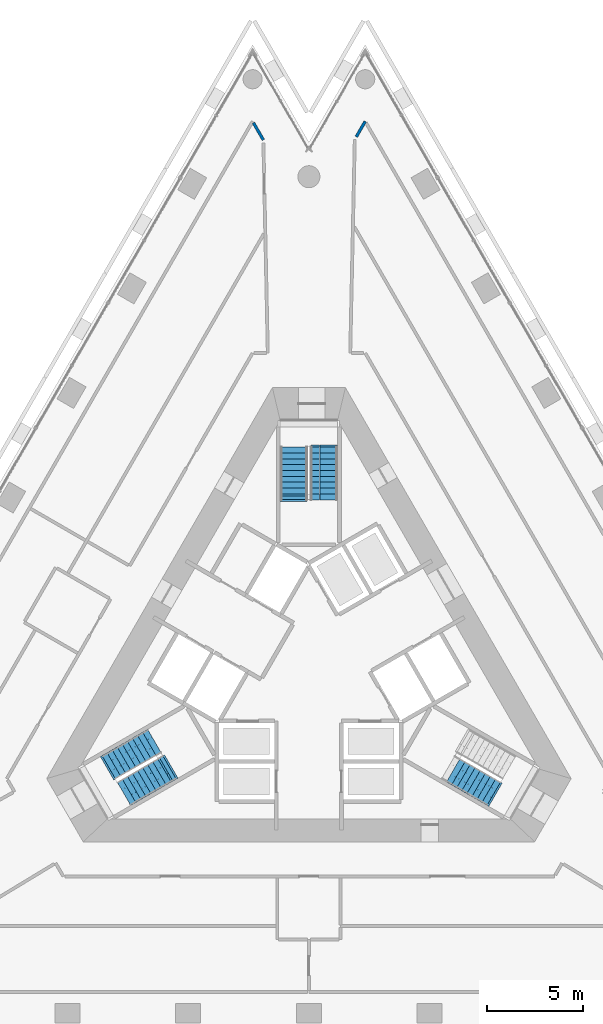
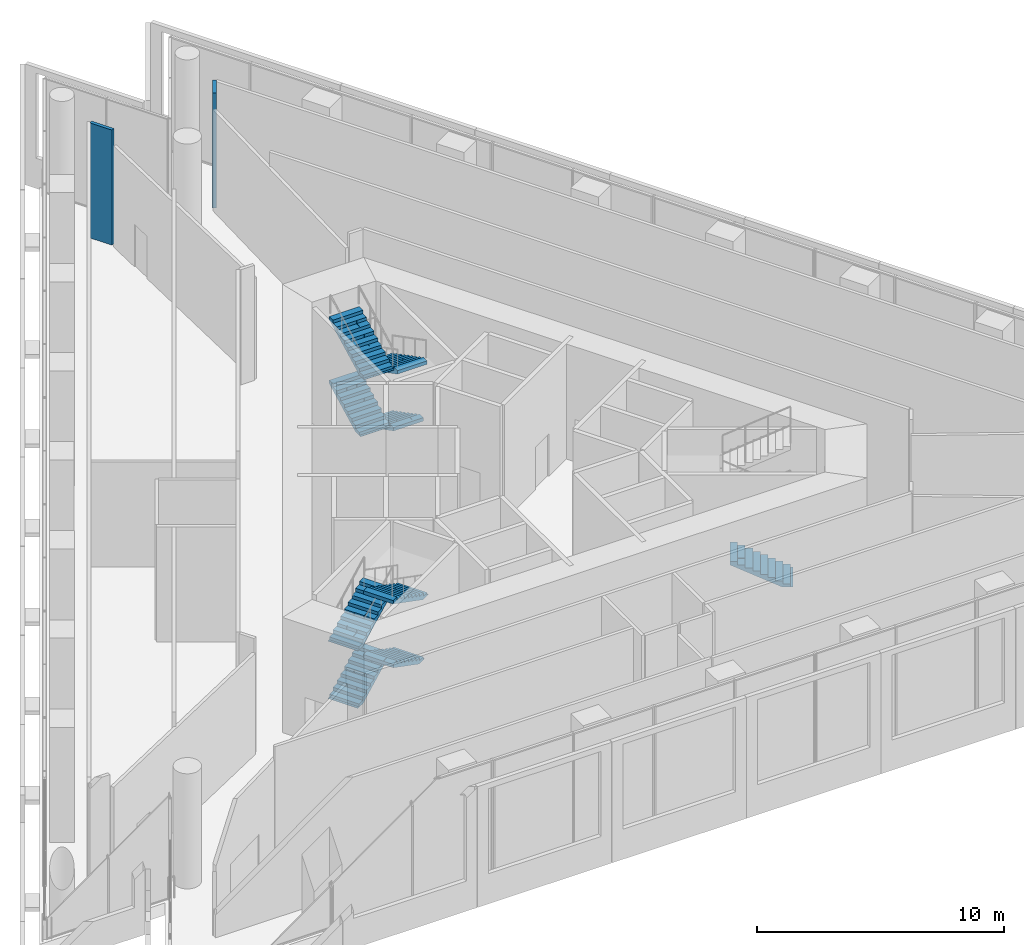
# One storey, part 13 of 18: 9 stair flights, 2 walls, 3 elements without a shape of their own.
"""IFC4 building model written with IfcOpenShell, lengths in metres."""

from ifc_helpers import new_model, si_unit, direction, frame, frame_2d, origin, place, context, subcontext, project, spatial, polyline, rectangle, outline, extrude, material, layer, layer_set, type_object, element, aggregate, save


model = new_model("IFC4")

# Units and contexts
model_context = context("Model", 3, precision=1e-05, world=origin(), true_north=direction((0.0, 1.0)))
body_context = subcontext(model_context, "Body", "Model", "MODEL_VIEW")
ifc_project = project(units=[si_unit("LENGTHUNIT", "METRE"), si_unit("AREAUNIT", "SQUARE_METRE"), si_unit("VOLUMEUNIT", "CUBIC_METRE"), si_unit("PLANEANGLEUNIT", "RADIAN"), si_unit("MASSUNIT", "GRAM", prefix="KILO")], contexts=[model_context])

# Site, building, storey
site_placement = place(None, origin())
site = spatial("IfcSite", under=ifc_project, at=site_placement, CompositionType="ELEMENT")
building_placement = place(site_placement, origin())
building = spatial("IfcBuilding", under=site, at=building_placement, Name="Triada Interchange Tower", CompositionType="ELEMENT")
storey_placement = place(building_placement, frame((0.0, 0.0, 185.300048828125)))
storey = spatial("IfcBuildingStorey", under=building, at=storey_placement, Name="L43", CompositionType="ELEMENT", Elevation=185.300048828125)

# Walls
ifc_material_1 = material(Name="Gypsum board partition")
ifc_layer_1 = layer(ifc_material_1, 0.14990234375)
ifc_layer_set_1 = layer_set([ifc_layer_1], Name="PARTITION 150 EI 180")
wall_type_1 = type_object("IfcWallType", Name="PARTITION 150 EI 180", PredefinedType="PARTITIONING", material=ifc_layer_set_1)
wall_1_placement = place(storey_placement, frame((2.471923828125, 27.7900390625, 0.0), z_axis=(0.0, 0.0, 1.0), x_axis=(0.500290723946, 0.86585748916, 0.0)))
element("IfcWall", 1, at=wall_1_placement, inside=storey, type_object=wall_type_1, Name="Wall L43 9", PredefinedType="PARTITIONING", context=body_context, shape_type="SweptSolid", body=[
    extrude(rectangle(XDim=0.9296875, YDim=0.14990234375, at=frame_2d((0.46484375, 0.0))), origin(), (0.0, 0.0, 1.0), 5.699951171875),
])
ifc_layer_2 = layer(ifc_material_1, 0.14990234375)
ifc_layer_set_2 = layer_set([ifc_layer_2], Name="PARTITION 150 EI 90")
wall_type_2 = type_object("IfcWallType", Name="PARTITION 150 EI 90", PredefinedType="PARTITIONING", material=ifc_layer_set_2)
wall_2_placement = place(storey_placement, frame((-2.89404296875, 28.52001953125, 0.0), z_axis=(0.0, 0.0, 1.0), x_axis=(0.500364349859, -0.865814944079, 0.0)))
element("IfcWall", 2, at=wall_2_placement, inside=storey, type_object=wall_type_2, Name="Wall L43 31", PredefinedType="PARTITIONING", context=body_context, shape_type="SweptSolid", body=[
    extrude(rectangle(XDim=1.031494140625, YDim=0.14990234375, at=frame_2d((0.515625, 0.0))), origin(), (0.0, 0.0, 1.0), 5.699951171875),
])

# Stair, stair flights
ifc_material_2 = material(Name="Concrete C35/45", Category="concrete")
stair_type = type_object("IfcStairType", Name="HALF TURN STAIR 1400", PredefinedType="HALF_TURN_STAIR", material=ifc_material_2)
stair_1_placement = place(storey_placement, origin())
stair_1 = element("IfcStair", 3, at=stair_1_placement, inside=storey, type_object=stair_type, Name="Exit stair S43-1", PredefinedType="HALF_TURN_STAIR")
stair_flight_type = type_object("IfcStairFlightType", Name="STRAIGHT STAIR FLIGHT 1400", PredefinedType="STRAIGHT", material=ifc_material_2)
stair_flight_1_placement = place(storey_placement, frame((0.800048828125, 11.60009765625, 0.0), z_axis=(0.0, 0.0, 1.0), x_axis=(0.0, -1.0, 0.0)))
stair_flight_1 = element("IfcStairFlight", 4, at=stair_flight_1_placement, type_object=stair_flight_type, Name="S43-1 flight 1", NumberOfRisers=9, NumberOfTreads=8, PredefinedType="STRAIGHT", RiserHeight=0.15789, TreadLength=0.305, context=body_context, shape_type="SweptSolid", body=[
    extrude(outline(polyline([(-0.10009765625, 0.0), (-0.10009765625, 0.02001953125), (0.0, 0.02001953125), (0.0, 0.157958984375), (0.304931640625, 0.157958984375), (0.304931640625, 0.315673828125), (0.610107421875, 0.315673828125), (0.610107421875, 0.4736328125), (0.9150390625, 0.4736328125), (0.9150390625, 0.631591796875), (1.219970703125, 0.631591796875), (1.219970703125, 0.78955078125), (1.52490234375, 0.78955078125), (1.52490234375, 0.947265625), (1.830078125, 0.947265625), (1.830078125, 1.105224609375), (2.135009765625, 1.105224609375), (2.135009765625, 1.26318359375), (2.43994140625, 1.26318359375), (2.444091796875, 1.26318359375), (2.444091796875, 1.4208984375), (2.444091796875, 1.09423828125), (0.326171875, 0.0), (-0.10009765625, 0.0)])), frame((0.0, 0.699951171875, 0.0), z_axis=(0.0, -1.0, 0.0), x_axis=(1.0, 0.0, 0.0)), (0.0, 0.0, 1.0), 0.46533203125),
    extrude(outline(polyline([(-0.10009765625, 0.0), (-0.10009765625, 0.02001953125), (0.0, 0.02001953125), (0.0, 0.157958984375), (0.304931640625, 0.157958984375), (0.304931640625, 0.315673828125), (0.610107421875, 0.315673828125), (0.610107421875, 0.4736328125), (0.9150390625, 0.4736328125), (0.9150390625, 0.631591796875), (1.219970703125, 0.631591796875), (1.219970703125, 0.78955078125), (1.52490234375, 0.78955078125), (1.52490234375, 0.947265625), (1.830078125, 0.947265625), (1.830078125, 1.105224609375), (2.135009765625, 1.105224609375), (2.135009765625, 1.26318359375), (2.43994140625, 1.26318359375), (2.444091796875, 1.26318359375), (2.444091796875, 1.4208984375), (2.444091796875, 1.09423828125), (0.326171875, 0.0), (-0.10009765625, 0.0)])), frame((0.0, 0.232666015625, 0.0), z_axis=(0.0, -1.0, 0.0), x_axis=(1.0, 0.0, 0.0)), (0.0, 0.0, 1.0), 0.46533203125),
    extrude(outline(polyline([(-0.10009765625, 0.0), (-0.10009765625, 0.02001953125), (0.0, 0.02001953125), (0.0, 0.157958984375), (0.304931640625, 0.157958984375), (0.304931640625, 0.315673828125), (0.610107421875, 0.315673828125), (0.610107421875, 0.4736328125), (0.9150390625, 0.4736328125), (0.9150390625, 0.631591796875), (1.219970703125, 0.631591796875), (1.219970703125, 0.78955078125), (1.52490234375, 0.78955078125), (1.52490234375, 0.947265625), (1.830078125, 0.947265625), (1.830078125, 1.105224609375), (2.135009765625, 1.105224609375), (2.135009765625, 1.26318359375), (2.43994140625, 1.26318359375), (2.444091796875, 1.26318359375), (2.444091796875, 1.4208984375), (2.444091796875, 1.09423828125), (0.326171875, 0.0), (-0.10009765625, 0.0)])), frame((0.0, -0.234619140625, 0.0), z_axis=(0.0, -1.0, 0.0), x_axis=(1.0, 0.0, 0.0)), (0.0, 0.0, 1.0), 0.46533203125),
])
stair_flight_2_placement = place(storey_placement, frame((-0.800048828125, 9.159912109375, 1.4208984375), z_axis=(0.0, 0.0, 1.0), x_axis=(0.0, 1.0, 0.0)))
stair_flight_2 = element("IfcStairFlight", 5, at=stair_flight_2_placement, type_object=stair_flight_type, Name="S43-1 flight 2", NumberOfRisers=9, NumberOfTreads=8, PredefinedType="STRAIGHT", RiserHeight=0.15789, TreadLength=0.305, context=body_context, shape_type="SweptSolid", body=[
    extrude(outline(polyline([(-0.10009765625, 0.0), (-0.10009765625, 0.02001953125), (0.0, 0.02001953125), (0.0, 0.157958984375), (0.304931640625, 0.157958984375), (0.304931640625, 0.315673828125), (0.610107421875, 0.315673828125), (0.610107421875, 0.4736328125), (0.9150390625, 0.4736328125), (0.9150390625, 0.631591796875), (1.219970703125, 0.631591796875), (1.219970703125, 0.78955078125), (1.52490234375, 0.78955078125), (1.52490234375, 0.947265625), (1.830078125, 0.947265625), (1.830078125, 1.105224609375), (2.135009765625, 1.105224609375), (2.135009765625, 1.26318359375), (2.43994140625, 1.26318359375), (2.444091796875, 1.26318359375), (2.444091796875, 1.4208984375), (2.444091796875, 1.09423828125), (0.326171875, 0.0), (-0.10009765625, 0.0)])), frame((0.0, 0.699951171875, 0.0), z_axis=(0.0, -1.0, 0.0), x_axis=(1.0, 0.0, 0.0)), (0.0, 0.0, 1.0), 0.46533203125),
    extrude(outline(polyline([(-0.10009765625, 0.0), (-0.10009765625, 0.02001953125), (0.0, 0.02001953125), (0.0, 0.157958984375), (0.304931640625, 0.157958984375), (0.304931640625, 0.315673828125), (0.610107421875, 0.315673828125), (0.610107421875, 0.4736328125), (0.9150390625, 0.4736328125), (0.9150390625, 0.631591796875), (1.219970703125, 0.631591796875), (1.219970703125, 0.78955078125), (1.52490234375, 0.78955078125), (1.52490234375, 0.947265625), (1.830078125, 0.947265625), (1.830078125, 1.105224609375), (2.135009765625, 1.105224609375), (2.135009765625, 1.26318359375), (2.43994140625, 1.26318359375), (2.444091796875, 1.26318359375), (2.444091796875, 1.4208984375), (2.444091796875, 1.09423828125), (0.326171875, 0.0), (-0.10009765625, 0.0)])), frame((0.0, 0.232666015625, 0.0), z_axis=(0.0, -1.0, 0.0), x_axis=(1.0, 0.0, 0.0)), (0.0, 0.0, 1.0), 0.46533203125),
    extrude(outline(polyline([(-0.10009765625, 0.0), (-0.10009765625, 0.02001953125), (0.0, 0.02001953125), (0.0, 0.157958984375), (0.304931640625, 0.157958984375), (0.304931640625, 0.315673828125), (0.610107421875, 0.315673828125), (0.610107421875, 0.4736328125), (0.9150390625, 0.4736328125), (0.9150390625, 0.631591796875), (1.219970703125, 0.631591796875), (1.219970703125, 0.78955078125), (1.52490234375, 0.78955078125), (1.52490234375, 0.947265625), (1.830078125, 0.947265625), (1.830078125, 1.105224609375), (2.135009765625, 1.105224609375), (2.135009765625, 1.26318359375), (2.43994140625, 1.26318359375), (2.444091796875, 1.26318359375), (2.444091796875, 1.4208984375), (2.444091796875, 1.09423828125), (0.326171875, 0.0), (-0.10009765625, 0.0)])), frame((0.0, -0.234619140625, 0.0), z_axis=(0.0, -1.0, 0.0), x_axis=(1.0, 0.0, 0.0)), (0.0, 0.0, 1.0), 0.46533203125),
])
stair_flight_3_placement = place(storey_placement, frame((0.800048828125, 11.60009765625, 2.842041015625), z_axis=(0.0, 0.0, 1.0), x_axis=(0.0, -1.0, 0.0)))
stair_flight_3 = element("IfcStairFlight", 6, at=stair_flight_3_placement, type_object=stair_flight_type, Name="S43-1 flight 3", NumberOfRisers=10, NumberOfTreads=9, PredefinedType="STRAIGHT", RiserHeight=0.15789, TreadLength=0.305, context=body_context, shape_type="SweptSolid", body=[
    extrude(outline(polyline([(-0.10009765625, 0.0), (-0.10009765625, 0.02001953125), (0.0, 0.02001953125), (0.0, 0.157958984375), (0.304931640625, 0.157958984375), (0.304931640625, 0.315673828125), (0.610107421875, 0.315673828125), (0.610107421875, 0.4736328125), (0.9150390625, 0.4736328125), (0.9150390625, 0.631591796875), (1.219970703125, 0.631591796875), (1.219970703125, 0.78955078125), (1.52490234375, 0.78955078125), (1.52490234375, 0.947265625), (1.830078125, 0.947265625), (1.830078125, 1.105224609375), (2.135009765625, 1.105224609375), (2.135009765625, 1.26318359375), (2.43994140625, 1.26318359375), (2.43994140625, 1.4208984375), (2.7451171875, 1.4208984375), (2.7490234375, 1.4208984375), (2.7490234375, 1.578857421875), (2.7490234375, 1.252197265625), (0.326171875, 0.0), (-0.10009765625, 0.0)])), frame((0.0, 0.699951171875, 0.0), z_axis=(0.0, -1.0, 0.0), x_axis=(1.0, 0.0, 0.0)), (0.0, 0.0, 1.0), 0.46533203125),
    extrude(outline(polyline([(-0.10009765625, 0.0), (-0.10009765625, 0.02001953125), (0.0, 0.02001953125), (0.0, 0.157958984375), (0.304931640625, 0.157958984375), (0.304931640625, 0.315673828125), (0.610107421875, 0.315673828125), (0.610107421875, 0.4736328125), (0.9150390625, 0.4736328125), (0.9150390625, 0.631591796875), (1.219970703125, 0.631591796875), (1.219970703125, 0.78955078125), (1.52490234375, 0.78955078125), (1.52490234375, 0.947265625), (1.830078125, 0.947265625), (1.830078125, 1.105224609375), (2.135009765625, 1.105224609375), (2.135009765625, 1.26318359375), (2.43994140625, 1.26318359375), (2.43994140625, 1.4208984375), (2.7451171875, 1.4208984375), (2.7490234375, 1.4208984375), (2.7490234375, 1.578857421875), (2.7490234375, 1.252197265625), (0.326171875, 0.0), (-0.10009765625, 0.0)])), frame((0.0, 0.232666015625, 0.0), z_axis=(0.0, -1.0, 0.0), x_axis=(1.0, 0.0, 0.0)), (0.0, 0.0, 1.0), 0.46533203125),
    extrude(outline(polyline([(-0.10009765625, 0.0), (-0.10009765625, 0.02001953125), (0.0, 0.02001953125), (0.0, 0.157958984375), (0.304931640625, 0.157958984375), (0.304931640625, 0.315673828125), (0.610107421875, 0.315673828125), (0.610107421875, 0.4736328125), (0.9150390625, 0.4736328125), (0.9150390625, 0.631591796875), (1.219970703125, 0.631591796875), (1.219970703125, 0.78955078125), (1.52490234375, 0.78955078125), (1.52490234375, 0.947265625), (1.830078125, 0.947265625), (1.830078125, 1.105224609375), (2.135009765625, 1.105224609375), (2.135009765625, 1.26318359375), (2.43994140625, 1.26318359375), (2.43994140625, 1.4208984375), (2.7451171875, 1.4208984375), (2.7490234375, 1.4208984375), (2.7490234375, 1.578857421875), (2.7490234375, 1.252197265625), (0.326171875, 0.0), (-0.10009765625, 0.0)])), frame((0.0, -0.234619140625, 0.0), z_axis=(0.0, -1.0, 0.0), x_axis=(1.0, 0.0, 0.0)), (0.0, 0.0, 1.0), 0.46533203125),
])
stair_flight_4_placement = place(storey_placement, frame((-0.800048828125, 8.85498046875, 4.4208984375), z_axis=(0.0, 0.0, 1.0), x_axis=(0.0, 1.0, 0.0)))
stair_flight_4 = element("IfcStairFlight", 7, at=stair_flight_4_placement, type_object=stair_flight_type, Name="S43-1 flight 4", NumberOfRisers=10, NumberOfTreads=9, PredefinedType="STRAIGHT", RiserHeight=0.15789, TreadLength=0.305, context=body_context, shape_type="SweptSolid", body=[
    extrude(outline(polyline([(-0.10009765625, 0.0), (-0.10009765625, 0.02001953125), (0.0, 0.02001953125), (0.0, 0.157958984375), (0.304931640625, 0.157958984375), (0.304931640625, 0.315673828125), (0.610107421875, 0.315673828125), (0.610107421875, 0.4736328125), (0.9150390625, 0.4736328125), (0.9150390625, 0.631591796875), (1.219970703125, 0.631591796875), (1.219970703125, 0.78955078125), (1.52490234375, 0.78955078125), (1.52490234375, 0.947265625), (1.830078125, 0.947265625), (1.830078125, 1.105224609375), (2.135009765625, 1.105224609375), (2.135009765625, 1.26318359375), (2.43994140625, 1.26318359375), (2.43994140625, 1.4208984375), (2.7451171875, 1.4208984375), (2.7490234375, 1.4208984375), (2.7490234375, 1.578857421875), (2.7490234375, 1.252197265625), (0.326171875, 0.0), (-0.10009765625, 0.0)])), frame((0.0, 0.699951171875, 0.0), z_axis=(0.0, -1.0, 0.0), x_axis=(1.0, 0.0, 0.0)), (0.0, 0.0, 1.0), 0.46533203125),
    extrude(outline(polyline([(-0.10009765625, 0.0), (-0.10009765625, 0.02001953125), (0.0, 0.02001953125), (0.0, 0.157958984375), (0.304931640625, 0.157958984375), (0.304931640625, 0.315673828125), (0.610107421875, 0.315673828125), (0.610107421875, 0.4736328125), (0.9150390625, 0.4736328125), (0.9150390625, 0.631591796875), (1.219970703125, 0.631591796875), (1.219970703125, 0.78955078125), (1.52490234375, 0.78955078125), (1.52490234375, 0.947265625), (1.830078125, 0.947265625), (1.830078125, 1.105224609375), (2.135009765625, 1.105224609375), (2.135009765625, 1.26318359375), (2.43994140625, 1.26318359375), (2.43994140625, 1.4208984375), (2.7451171875, 1.4208984375), (2.7490234375, 1.4208984375), (2.7490234375, 1.578857421875), (2.7490234375, 1.252197265625), (0.326171875, 0.0), (-0.10009765625, 0.0)])), frame((0.0, 0.232666015625, 0.0), z_axis=(0.0, -1.0, 0.0), x_axis=(1.0, 0.0, 0.0)), (0.0, 0.0, 1.0), 0.46533203125),
    extrude(outline(polyline([(-0.10009765625, 0.0), (-0.10009765625, 0.02001953125), (0.0, 0.02001953125), (0.0, 0.157958984375), (0.304931640625, 0.157958984375), (0.304931640625, 0.315673828125), (0.610107421875, 0.315673828125), (0.610107421875, 0.4736328125), (0.9150390625, 0.4736328125), (0.9150390625, 0.631591796875), (1.219970703125, 0.631591796875), (1.219970703125, 0.78955078125), (1.52490234375, 0.78955078125), (1.52490234375, 0.947265625), (1.830078125, 0.947265625), (1.830078125, 1.105224609375), (2.135009765625, 1.105224609375), (2.135009765625, 1.26318359375), (2.43994140625, 1.26318359375), (2.43994140625, 1.4208984375), (2.7451171875, 1.4208984375), (2.7490234375, 1.4208984375), (2.7490234375, 1.578857421875), (2.7490234375, 1.252197265625), (0.326171875, 0.0), (-0.10009765625, 0.0)])), frame((0.0, -0.234619140625, 0.0), z_axis=(0.0, -1.0, 0.0), x_axis=(1.0, 0.0, 0.0)), (0.0, 0.0, 1.0), 0.46533203125),
])
aggregate(stair_1, [stair_flight_1, stair_flight_2, stair_flight_3, stair_flight_4])

stair_2_placement = place(storey_placement, origin())
stair_2 = element("IfcStair", 8, at=stair_2_placement, inside=storey, type_object=stair_type, Name="Exit stair S43-2", PredefinedType="HALF_TURN_STAIR")
stair_flight_5_placement = place(storey_placement, frame((-10.446044921875, -5.10693359375, 0.0), z_axis=(0.0, 0.0, 1.0), x_axis=(0.866025403784, 0.5, 0.0)))
stair_flight_5 = element("IfcStairFlight", 9, at=stair_flight_5_placement, type_object=stair_flight_type, Name="S43-2 flight 1", NumberOfRisers=9, NumberOfTreads=8, PredefinedType="STRAIGHT", RiserHeight=0.15789, TreadLength=0.305, context=body_context, shape_type="SweptSolid", body=[
    extrude(outline(polyline([(-0.10009765625, 0.0), (-0.10009765625, 0.02001953125), (0.0, 0.02001953125), (0.0, 0.157958984375), (0.304931640625, 0.157958984375), (0.304931640625, 0.315673828125), (0.610107421875, 0.315673828125), (0.610107421875, 0.4736328125), (0.9150390625, 0.4736328125), (0.9150390625, 0.631591796875), (1.219970703125, 0.631591796875), (1.219970703125, 0.78955078125), (1.52490234375, 0.78955078125), (1.52490234375, 0.947265625), (1.830078125, 0.947265625), (1.830078125, 1.105224609375), (2.135009765625, 1.105224609375), (2.135009765625, 1.26318359375), (2.43994140625, 1.26318359375), (2.444091796875, 1.26318359375), (2.444091796875, 1.4208984375), (2.444091796875, 1.09423828125), (0.326171875, 0.0), (-0.10009765625, 0.0)])), frame((0.0, 0.699951171875, 0.0), z_axis=(0.0, -1.0, 0.0), x_axis=(1.0, 0.0, 0.0)), (0.0, 0.0, 1.0), 0.46533203125),
    extrude(outline(polyline([(-0.10009765625, 0.0), (-0.10009765625, 0.02001953125), (0.0, 0.02001953125), (0.0, 0.157958984375), (0.304931640625, 0.157958984375), (0.304931640625, 0.315673828125), (0.610107421875, 0.315673828125), (0.610107421875, 0.4736328125), (0.9150390625, 0.4736328125), (0.9150390625, 0.631591796875), (1.219970703125, 0.631591796875), (1.219970703125, 0.78955078125), (1.52490234375, 0.78955078125), (1.52490234375, 0.947265625), (1.830078125, 0.947265625), (1.830078125, 1.105224609375), (2.135009765625, 1.105224609375), (2.135009765625, 1.26318359375), (2.43994140625, 1.26318359375), (2.444091796875, 1.26318359375), (2.444091796875, 1.4208984375), (2.444091796875, 1.09423828125), (0.326171875, 0.0), (-0.10009765625, 0.0)])), frame((0.0, 0.232666015625, 0.0), z_axis=(0.0, -1.0, 0.0), x_axis=(1.0, 0.0, 0.0)), (0.0, 0.0, 1.0), 0.46533203125),
    extrude(outline(polyline([(-0.10009765625, 0.0), (-0.10009765625, 0.02001953125), (0.0, 0.02001953125), (0.0, 0.157958984375), (0.304931640625, 0.157958984375), (0.304931640625, 0.315673828125), (0.610107421875, 0.315673828125), (0.610107421875, 0.4736328125), (0.9150390625, 0.4736328125), (0.9150390625, 0.631591796875), (1.219970703125, 0.631591796875), (1.219970703125, 0.78955078125), (1.52490234375, 0.78955078125), (1.52490234375, 0.947265625), (1.830078125, 0.947265625), (1.830078125, 1.105224609375), (2.135009765625, 1.105224609375), (2.135009765625, 1.26318359375), (2.43994140625, 1.26318359375), (2.444091796875, 1.26318359375), (2.444091796875, 1.4208984375), (2.444091796875, 1.09423828125), (0.326171875, 0.0), (-0.10009765625, 0.0)])), frame((0.0, -0.234619140625, 0.0), z_axis=(0.0, -1.0, 0.0), x_axis=(1.0, 0.0, 0.0)), (0.0, 0.0, 1.0), 0.46533203125),
])
stair_flight_6_placement = place(storey_placement, frame((-7.532958984375, -5.27294921875, 1.4208984375), z_axis=(0.0, 0.0, 1.0), x_axis=(-0.866025403784, -0.5, 0.0)))
stair_flight_6 = element("IfcStairFlight", 10, at=stair_flight_6_placement, type_object=stair_flight_type, Name="S43-2 flight 2", NumberOfRisers=9, NumberOfTreads=8, PredefinedType="STRAIGHT", RiserHeight=0.15789, TreadLength=0.305, context=body_context, shape_type="SweptSolid", body=[
    extrude(outline(polyline([(-0.10009765625, 0.0), (-0.10009765625, 0.02001953125), (0.0, 0.02001953125), (0.0, 0.157958984375), (0.304931640625, 0.157958984375), (0.304931640625, 0.315673828125), (0.610107421875, 0.315673828125), (0.610107421875, 0.4736328125), (0.9150390625, 0.4736328125), (0.9150390625, 0.631591796875), (1.219970703125, 0.631591796875), (1.219970703125, 0.78955078125), (1.52490234375, 0.78955078125), (1.52490234375, 0.947265625), (1.830078125, 0.947265625), (1.830078125, 1.105224609375), (2.135009765625, 1.105224609375), (2.135009765625, 1.26318359375), (2.43994140625, 1.26318359375), (2.444091796875, 1.26318359375), (2.444091796875, 1.4208984375), (2.444091796875, 1.09423828125), (0.326171875, 0.0), (-0.10009765625, 0.0)])), frame((0.0, 0.699951171875, 0.0), z_axis=(0.0, -1.0, 0.0), x_axis=(1.0, 0.0, 0.0)), (0.0, 0.0, 1.0), 0.46533203125),
    extrude(outline(polyline([(-0.10009765625, 0.0), (-0.10009765625, 0.02001953125), (0.0, 0.02001953125), (0.0, 0.157958984375), (0.304931640625, 0.157958984375), (0.304931640625, 0.315673828125), (0.610107421875, 0.315673828125), (0.610107421875, 0.4736328125), (0.9150390625, 0.4736328125), (0.9150390625, 0.631591796875), (1.219970703125, 0.631591796875), (1.219970703125, 0.78955078125), (1.52490234375, 0.78955078125), (1.52490234375, 0.947265625), (1.830078125, 0.947265625), (1.830078125, 1.105224609375), (2.135009765625, 1.105224609375), (2.135009765625, 1.26318359375), (2.43994140625, 1.26318359375), (2.444091796875, 1.26318359375), (2.444091796875, 1.4208984375), (2.444091796875, 1.09423828125), (0.326171875, 0.0), (-0.10009765625, 0.0)])), frame((0.0, 0.232666015625, 0.0), z_axis=(0.0, -1.0, 0.0), x_axis=(1.0, 0.0, 0.0)), (0.0, 0.0, 1.0), 0.46533203125),
    extrude(outline(polyline([(-0.10009765625, 0.0), (-0.10009765625, 0.02001953125), (0.0, 0.02001953125), (0.0, 0.157958984375), (0.304931640625, 0.157958984375), (0.304931640625, 0.315673828125), (0.610107421875, 0.315673828125), (0.610107421875, 0.4736328125), (0.9150390625, 0.4736328125), (0.9150390625, 0.631591796875), (1.219970703125, 0.631591796875), (1.219970703125, 0.78955078125), (1.52490234375, 0.78955078125), (1.52490234375, 0.947265625), (1.830078125, 0.947265625), (1.830078125, 1.105224609375), (2.135009765625, 1.105224609375), (2.135009765625, 1.26318359375), (2.43994140625, 1.26318359375), (2.444091796875, 1.26318359375), (2.444091796875, 1.4208984375), (2.444091796875, 1.09423828125), (0.326171875, 0.0), (-0.10009765625, 0.0)])), frame((0.0, -0.234619140625, 0.0), z_axis=(0.0, -1.0, 0.0), x_axis=(1.0, 0.0, 0.0)), (0.0, 0.0, 1.0), 0.46533203125),
])
stair_flight_7_placement = place(storey_placement, frame((-10.446044921875, -5.10693359375, 2.842041015625), z_axis=(0.0, 0.0, 1.0), x_axis=(0.866025403784, 0.5, 0.0)))
stair_flight_7 = element("IfcStairFlight", 11, at=stair_flight_7_placement, type_object=stair_flight_type, Name="S43-2 flight 3", NumberOfRisers=10, NumberOfTreads=9, PredefinedType="STRAIGHT", RiserHeight=0.15789, TreadLength=0.305, context=body_context, shape_type="SweptSolid", body=[
    extrude(outline(polyline([(-0.10009765625, 0.0), (-0.10009765625, 0.02001953125), (0.0, 0.02001953125), (0.0, 0.157958984375), (0.304931640625, 0.157958984375), (0.304931640625, 0.315673828125), (0.610107421875, 0.315673828125), (0.610107421875, 0.4736328125), (0.9150390625, 0.4736328125), (0.9150390625, 0.631591796875), (1.219970703125, 0.631591796875), (1.219970703125, 0.78955078125), (1.52490234375, 0.78955078125), (1.52490234375, 0.947265625), (1.830078125, 0.947265625), (1.830078125, 1.105224609375), (2.135009765625, 1.105224609375), (2.135009765625, 1.26318359375), (2.43994140625, 1.26318359375), (2.43994140625, 1.4208984375), (2.7451171875, 1.4208984375), (2.7490234375, 1.4208984375), (2.7490234375, 1.578857421875), (2.7490234375, 1.252197265625), (0.326171875, 0.0), (-0.10009765625, 0.0)])), frame((0.0, 0.699951171875, 0.0), z_axis=(0.0, -1.0, 0.0), x_axis=(1.0, 0.0, 0.0)), (0.0, 0.0, 1.0), 0.46533203125),
    extrude(outline(polyline([(-0.10009765625, 0.0), (-0.10009765625, 0.02001953125), (0.0, 0.02001953125), (0.0, 0.157958984375), (0.304931640625, 0.157958984375), (0.304931640625, 0.315673828125), (0.610107421875, 0.315673828125), (0.610107421875, 0.4736328125), (0.9150390625, 0.4736328125), (0.9150390625, 0.631591796875), (1.219970703125, 0.631591796875), (1.219970703125, 0.78955078125), (1.52490234375, 0.78955078125), (1.52490234375, 0.947265625), (1.830078125, 0.947265625), (1.830078125, 1.105224609375), (2.135009765625, 1.105224609375), (2.135009765625, 1.26318359375), (2.43994140625, 1.26318359375), (2.43994140625, 1.4208984375), (2.7451171875, 1.4208984375), (2.7490234375, 1.4208984375), (2.7490234375, 1.578857421875), (2.7490234375, 1.252197265625), (0.326171875, 0.0), (-0.10009765625, 0.0)])), frame((0.0, 0.232666015625, 0.0), z_axis=(0.0, -1.0, 0.0), x_axis=(1.0, 0.0, 0.0)), (0.0, 0.0, 1.0), 0.46533203125),
    extrude(outline(polyline([(-0.10009765625, 0.0), (-0.10009765625, 0.02001953125), (0.0, 0.02001953125), (0.0, 0.157958984375), (0.304931640625, 0.157958984375), (0.304931640625, 0.315673828125), (0.610107421875, 0.315673828125), (0.610107421875, 0.4736328125), (0.9150390625, 0.4736328125), (0.9150390625, 0.631591796875), (1.219970703125, 0.631591796875), (1.219970703125, 0.78955078125), (1.52490234375, 0.78955078125), (1.52490234375, 0.947265625), (1.830078125, 0.947265625), (1.830078125, 1.105224609375), (2.135009765625, 1.105224609375), (2.135009765625, 1.26318359375), (2.43994140625, 1.26318359375), (2.43994140625, 1.4208984375), (2.7451171875, 1.4208984375), (2.7490234375, 1.4208984375), (2.7490234375, 1.578857421875), (2.7490234375, 1.252197265625), (0.326171875, 0.0), (-0.10009765625, 0.0)])), frame((0.0, -0.234619140625, 0.0), z_axis=(0.0, -1.0, 0.0), x_axis=(1.0, 0.0, 0.0)), (0.0, 0.0, 1.0), 0.46533203125),
])
stair_flight_8_placement = place(storey_placement, frame((-7.26904296875, -5.1201171875, 4.4208984375), z_axis=(0.0, 0.0, 1.0), x_axis=(-0.866025403784, -0.5, 0.0)))
stair_flight_8 = element("IfcStairFlight", 12, at=stair_flight_8_placement, type_object=stair_flight_type, Name="S43-2 flight 4", NumberOfRisers=10, NumberOfTreads=9, PredefinedType="STRAIGHT", RiserHeight=0.15789, TreadLength=0.305, context=body_context, shape_type="SweptSolid", body=[
    extrude(outline(polyline([(-0.10009765625, 0.0), (-0.10009765625, 0.02001953125), (0.0, 0.02001953125), (0.0, 0.157958984375), (0.304931640625, 0.157958984375), (0.304931640625, 0.315673828125), (0.610107421875, 0.315673828125), (0.610107421875, 0.4736328125), (0.9150390625, 0.4736328125), (0.9150390625, 0.631591796875), (1.219970703125, 0.631591796875), (1.219970703125, 0.78955078125), (1.52490234375, 0.78955078125), (1.52490234375, 0.947265625), (1.830078125, 0.947265625), (1.830078125, 1.105224609375), (2.135009765625, 1.105224609375), (2.135009765625, 1.26318359375), (2.43994140625, 1.26318359375), (2.43994140625, 1.4208984375), (2.7451171875, 1.4208984375), (2.7490234375, 1.4208984375), (2.7490234375, 1.578857421875), (2.7490234375, 1.252197265625), (0.326171875, 0.0), (-0.10009765625, 0.0)])), frame((0.0, 0.699951171875, 0.0), z_axis=(0.0, -1.0, 0.0), x_axis=(1.0, 0.0, 0.0)), (0.0, 0.0, 1.0), 0.46533203125),
    extrude(outline(polyline([(-0.10009765625, 0.0), (-0.10009765625, 0.02001953125), (0.0, 0.02001953125), (0.0, 0.157958984375), (0.304931640625, 0.157958984375), (0.304931640625, 0.315673828125), (0.610107421875, 0.315673828125), (0.610107421875, 0.4736328125), (0.9150390625, 0.4736328125), (0.9150390625, 0.631591796875), (1.219970703125, 0.631591796875), (1.219970703125, 0.78955078125), (1.52490234375, 0.78955078125), (1.52490234375, 0.947265625), (1.830078125, 0.947265625), (1.830078125, 1.105224609375), (2.135009765625, 1.105224609375), (2.135009765625, 1.26318359375), (2.43994140625, 1.26318359375), (2.43994140625, 1.4208984375), (2.7451171875, 1.4208984375), (2.7490234375, 1.4208984375), (2.7490234375, 1.578857421875), (2.7490234375, 1.252197265625), (0.326171875, 0.0), (-0.10009765625, 0.0)])), frame((0.0, 0.232666015625, 0.0), z_axis=(0.0, -1.0, 0.0), x_axis=(1.0, 0.0, 0.0)), (0.0, 0.0, 1.0), 0.46533203125),
    extrude(outline(polyline([(-0.10009765625, 0.0), (-0.10009765625, 0.02001953125), (0.0, 0.02001953125), (0.0, 0.157958984375), (0.304931640625, 0.157958984375), (0.304931640625, 0.315673828125), (0.610107421875, 0.315673828125), (0.610107421875, 0.4736328125), (0.9150390625, 0.4736328125), (0.9150390625, 0.631591796875), (1.219970703125, 0.631591796875), (1.219970703125, 0.78955078125), (1.52490234375, 0.78955078125), (1.52490234375, 0.947265625), (1.830078125, 0.947265625), (1.830078125, 1.105224609375), (2.135009765625, 1.105224609375), (2.135009765625, 1.26318359375), (2.43994140625, 1.26318359375), (2.43994140625, 1.4208984375), (2.7451171875, 1.4208984375), (2.7490234375, 1.4208984375), (2.7490234375, 1.578857421875), (2.7490234375, 1.252197265625), (0.326171875, 0.0), (-0.10009765625, 0.0)])), frame((0.0, -0.234619140625, 0.0), z_axis=(0.0, -1.0, 0.0), x_axis=(1.0, 0.0, 0.0)), (0.0, 0.0, 1.0), 0.46533203125),
])
aggregate(stair_2, [stair_flight_5, stair_flight_6, stair_flight_7, stair_flight_8])

# Stair, stair flight
stair_3_placement = place(storey_placement, origin())
stair_3 = element("IfcStair", 13, at=stair_3_placement, inside=storey, type_object=stair_type, Name="Exit stair S43-3", PredefinedType="HALF_TURN_STAIR")
stair_flight_9_placement = place(storey_placement, frame((9.64599609375, -6.492919921875, 0.0), z_axis=(0.0, 0.0, 1.0), x_axis=(-0.866025403784, 0.5, 0.0)))
stair_flight_9 = element("IfcStairFlight", 14, at=stair_flight_9_placement, type_object=stair_flight_type, Name="S43-3 flight 1", NumberOfRisers=9, NumberOfTreads=8, PredefinedType="STRAIGHT", RiserHeight=0.15789, TreadLength=0.305, context=body_context, shape_type="SweptSolid", body=[
    extrude(outline(polyline([(-0.10009765625, 0.0), (-0.10009765625, 0.02001953125), (0.0, 0.02001953125), (0.0, 0.157958984375), (0.304931640625, 0.157958984375), (0.304931640625, 0.315673828125), (0.610107421875, 0.315673828125), (0.610107421875, 0.4736328125), (0.9150390625, 0.4736328125), (0.9150390625, 0.631591796875), (1.219970703125, 0.631591796875), (1.219970703125, 0.78955078125), (1.52490234375, 0.78955078125), (1.52490234375, 0.947265625), (1.830078125, 0.947265625), (1.830078125, 1.105224609375), (2.135009765625, 1.105224609375), (2.135009765625, 1.26318359375), (2.43994140625, 1.26318359375), (2.444091796875, 1.26318359375), (2.444091796875, 1.4208984375), (2.444091796875, 1.09423828125), (0.326171875, 0.0), (-0.10009765625, 0.0)])), frame((0.0, 0.699951171875, 0.0), z_axis=(0.0, -1.0, 0.0), x_axis=(1.0, 0.0, 0.0)), (0.0, 0.0, 1.0), 0.46533203125),
    extrude(outline(polyline([(-0.10009765625, 0.0), (-0.10009765625, 0.02001953125), (0.0, 0.02001953125), (0.0, 0.157958984375), (0.304931640625, 0.157958984375), (0.304931640625, 0.315673828125), (0.610107421875, 0.315673828125), (0.610107421875, 0.4736328125), (0.9150390625, 0.4736328125), (0.9150390625, 0.631591796875), (1.219970703125, 0.631591796875), (1.219970703125, 0.78955078125), (1.52490234375, 0.78955078125), (1.52490234375, 0.947265625), (1.830078125, 0.947265625), (1.830078125, 1.105224609375), (2.135009765625, 1.105224609375), (2.135009765625, 1.26318359375), (2.43994140625, 1.26318359375), (2.444091796875, 1.26318359375), (2.444091796875, 1.4208984375), (2.444091796875, 1.09423828125), (0.326171875, 0.0), (-0.10009765625, 0.0)])), frame((0.0, 0.232666015625, 0.0), z_axis=(0.0, -1.0, 0.0), x_axis=(1.0, 0.0, 0.0)), (0.0, 0.0, 1.0), 0.46533203125),
    extrude(outline(polyline([(-0.10009765625, 0.0), (-0.10009765625, 0.02001953125), (0.0, 0.02001953125), (0.0, 0.157958984375), (0.304931640625, 0.157958984375), (0.304931640625, 0.315673828125), (0.610107421875, 0.315673828125), (0.610107421875, 0.4736328125), (0.9150390625, 0.4736328125), (0.9150390625, 0.631591796875), (1.219970703125, 0.631591796875), (1.219970703125, 0.78955078125), (1.52490234375, 0.78955078125), (1.52490234375, 0.947265625), (1.830078125, 0.947265625), (1.830078125, 1.105224609375), (2.135009765625, 1.105224609375), (2.135009765625, 1.26318359375), (2.43994140625, 1.26318359375), (2.444091796875, 1.26318359375), (2.444091796875, 1.4208984375), (2.444091796875, 1.09423828125), (0.326171875, 0.0), (-0.10009765625, 0.0)])), frame((0.0, -0.234619140625, 0.0), z_axis=(0.0, -1.0, 0.0), x_axis=(1.0, 0.0, 0.0)), (0.0, 0.0, 1.0), 0.46533203125),
])
aggregate(stair_3, [stair_flight_9])

save(model, "model.ifc")
